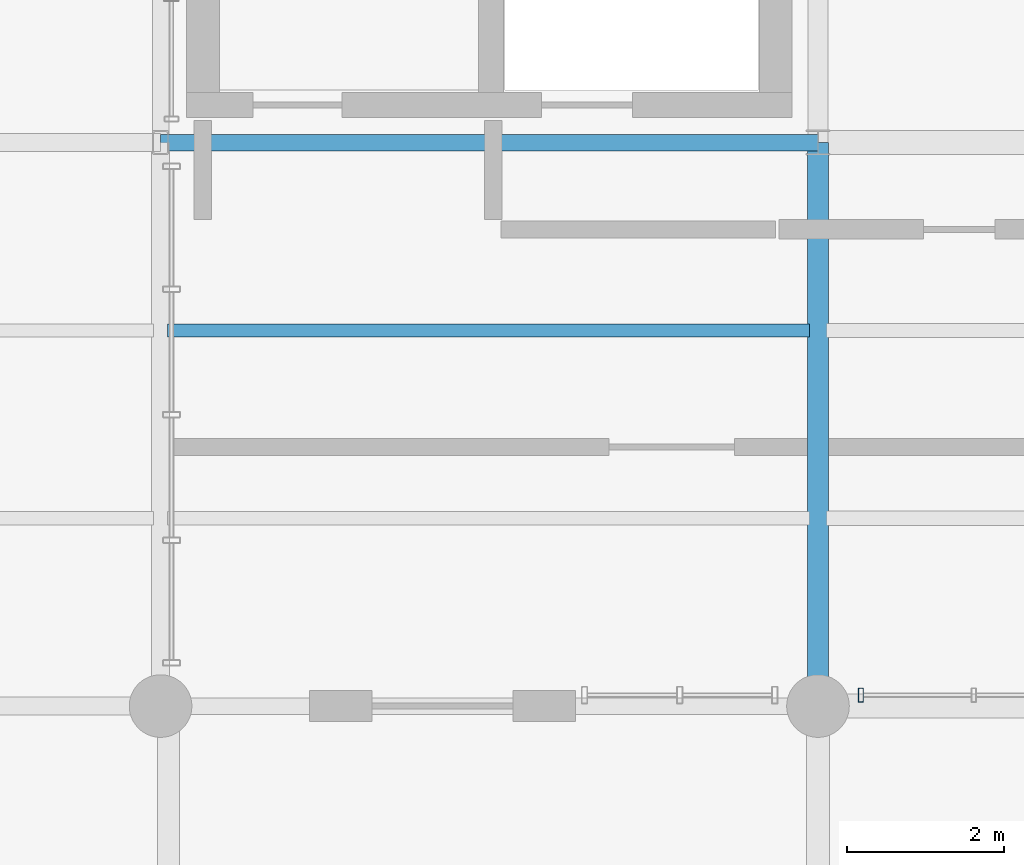
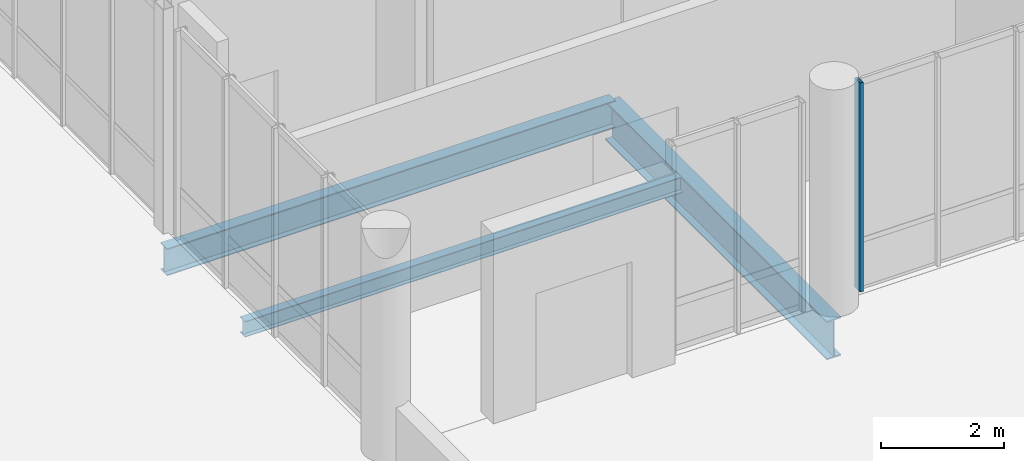
# One storey, part 9 of 68: 3 beams, 1 member, 1 element without a shape of its own.
"""IFC4 building model written with IfcOpenShell, lengths in metres."""

from ifc_helpers import new_model, si_unit, direction, frame, origin_with_axes, origin_2d_with_axis, place, context, subcontext, project, spatial, hollow_rectangle, i_section, extrude, material, material_profile, profile_set, type_object, element, aggregate, save


model = new_model("IFC4")

# Units and contexts
model_context = context("Model", 3, precision=1e-05, world=origin_with_axes(), true_north=direction((0.0, 1.0)))
body_context = subcontext(model_context, "Body", "Model", "MODEL_VIEW")
ifc_project = project(units=[si_unit("LENGTHUNIT", "METRE"), si_unit("AREAUNIT", "SQUARE_METRE"), si_unit("VOLUMEUNIT", "CUBIC_METRE"), si_unit("PLANEANGLEUNIT", "RADIAN"), si_unit("MASSUNIT", "GRAM", prefix="KILO"), si_unit("THERMODYNAMICTEMPERATUREUNIT", "KELVIN")], contexts=[model_context])

# Site, building, storey
site_placement = place(None, origin_with_axes())
site = spatial("IfcSite", under=ifc_project, at=site_placement, CompositionType="ELEMENT")
building_placement = place(site_placement, origin_with_axes())
building = spatial("IfcBuilding", under=site, at=building_placement, Name="Montbau Bow Law Courts", CompositionType="ELEMENT")
storey_placement = place(building_placement, frame((0.0, 0.0, 20.4), z_axis=(0.0, 0.0, 1.0), x_axis=(1.0, 0.0, 0.0)))
storey = spatial("IfcBuildingStorey", under=building, at=storey_placement, Name="L04", CompositionType="ELEMENT", Elevation=20.4)

# Beams
ifc_material_1 = material(Name="Steel CSA G40.21 Grade 350W (350 MPa)", Category="steel")
ifc_material_profile_1 = material_profile(ifc_material_1, i_section(OverallWidth=0.267, OverallDepth=0.766, WebThickness=0.0149, FlangeThickness=0.0236, at=origin_2d_with_axis()), Name="W760X185", Category="Main", Priority=0)
ifc_profile_set_1 = profile_set([ifc_material_profile_1], Name="Steel CSA G40.21 Grade 350W (350 MPa)")
beam_type_1 = type_object("IfcBeamType", Name="B-FLR-03", PredefinedType="BEAM", material=ifc_profile_set_1)
beam_1_placement = place(None, frame((22.2, 39.0, 19.697), z_axis=(0.0, 1.0, 0.0), x_axis=(-1.0, 0.0, 0.0)))
element("IfcBeam", 1, at=beam_1_placement, inside=storey, type_object=beam_type_1, Name="BM-L04-S0643:bm2_0646", PredefinedType="BEAM", context=body_context, shape_type="SweptSolid", body=[
    extrude(i_section(OverallWidth=0.267, OverallDepth=0.766, WebThickness=0.0149, FlangeThickness=0.0236, at=origin_2d_with_axis()), origin_with_axes(), (0.0, 0.0, 1.0), 7.2),
])
ifc_material_profile_2 = material_profile(ifc_material_1, i_section(OverallWidth=0.21, OverallDepth=0.537, WebThickness=0.0109, FlangeThickness=0.0174, at=origin_2d_with_axis()), Name="W530X101", Category="Main", Priority=0)
ifc_profile_set_2 = profile_set([ifc_material_profile_2], Name="Steel CSA G40.21 Grade 350W (350 MPa)")
beam_type_2 = type_object("IfcBeamType", Name="B-FLR-06", PredefinedType="BEAM", material=ifc_profile_set_2)
beam_2_placement = place(None, frame((13.8, 46.2, 19.841), z_axis=(1.0, 0.0, 0.0), x_axis=(0.0, 1.0, 0.0)))
element("IfcBeam", 2, at=beam_2_placement, inside=storey, type_object=beam_type_2, Name="BM-L04-S0628:bm2_0631", PredefinedType="BEAM", context=body_context, shape_type="SweptSolid", body=[
    extrude(i_section(OverallWidth=0.21, OverallDepth=0.537, WebThickness=0.0109, FlangeThickness=0.0174, at=origin_2d_with_axis()), origin_with_axes(), (0.0, 0.0, 1.0), 8.4),
])
ifc_material_profile_3 = material_profile(ifc_material_1, i_section(OverallWidth=0.166, OverallDepth=0.313, WebThickness=0.0066, FlangeThickness=0.0112, at=origin_2d_with_axis()), Name="W310X45", Category="Main", Priority=0)
ifc_profile_set_3 = profile_set([ifc_material_profile_3], Name="Steel CSA G40.21 Grade 350W (350 MPa)")
beam_type_3 = type_object("IfcBeamType", Name="B-JST-04", PredefinedType="JOIST", material=ifc_profile_set_3)
beam_3_placement = place(None, frame((13.891, 43.8, 19.923), z_axis=(1.0, 0.0, 0.0), x_axis=(0.0, 1.0, 0.0)))
element("IfcBeam", 3, at=beam_3_placement, inside=storey, type_object=beam_type_3, Name="JST-L04-S0307:jst2_0307", PredefinedType="JOIST", context=body_context, shape_type="SweptSolid", body=[
    extrude(i_section(OverallWidth=0.166, OverallDepth=0.313, WebThickness=0.0066, FlangeThickness=0.0112, at=origin_2d_with_axis()), origin_with_axes(), (0.0, 0.0, 1.0), 8.199),
])

# Curtain wall, member
ifc_material_2 = material(Name="Thermally Broken Extruded Aluminium AA 6063-T6", Category="aluminium")
curtain_wall_type = type_object("IfcCurtainWallType", Name="CW-NCK-01", PredefinedType="NOTDEFINED", material=ifc_material_2)
curtain_wall_placement = place(None, frame((22.715, 39.14, 20.4), z_axis=(0.0, 0.0, 1.0), x_axis=(1.0, 0.0, 0.0)))
curtain_wall = element("IfcCurtainWall", 4, at=curtain_wall_placement, inside=storey, type_object=curtain_wall_type, Name="CW-L04-067:cw_0067", PredefinedType="NOTDEFINED")
ifc_material_profile_4 = material_profile(ifc_material_2, hollow_rectangle(XDim=0.065, YDim=0.18, WallThickness=0.005, InnerFilletRadius=0.01, OuterFilletRadius=0.005, at=origin_2d_with_axis()), Name="CWM-180X65", Category="Main", Priority=0)
ifc_profile_set_4 = profile_set([ifc_material_profile_4], Name="Thermally Broken Extruded Aluminium AA 6063-T6")
member_type = type_object("IfcMemberType", Name="M-MUL-02", PredefinedType="MULLION", material=ifc_profile_set_4)
member_placement = place(None, frame((22.748, 39.14, 20.4), z_axis=(0.0, 0.0, 1.0), x_axis=(1.0, 0.0, 0.0)))
member = element("IfcMember", 5, at=member_placement, type_object=member_type, Name="CW-L04-067-M01:cw_0067_M01", PredefinedType="MULLION", context=body_context, shape_type="SweptSolid", body=[
    extrude(hollow_rectangle(XDim=0.065, YDim=0.18, WallThickness=0.005, InnerFilletRadius=0.01, OuterFilletRadius=0.005, at=origin_2d_with_axis()), origin_with_axes(), (0.0, 0.0, 1.0), 4.14),
])
aggregate(curtain_wall, [member])

save(model, "model.ifc")
